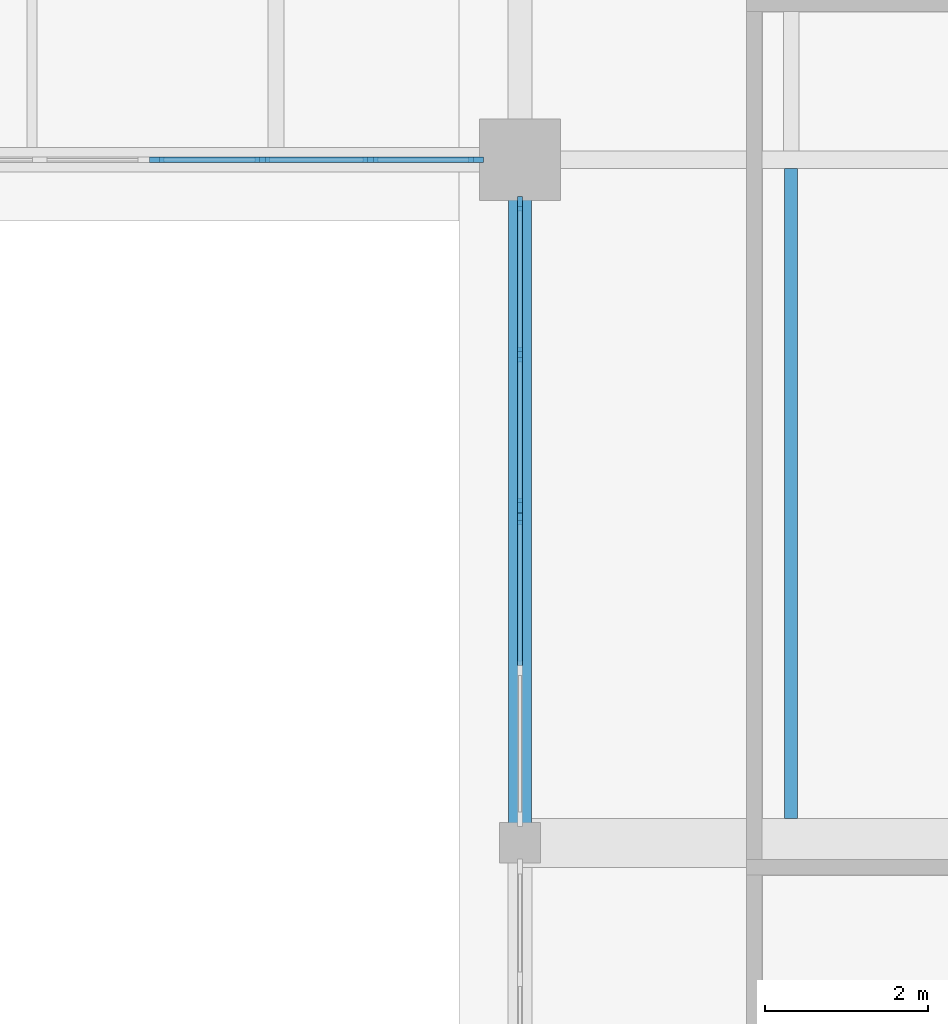
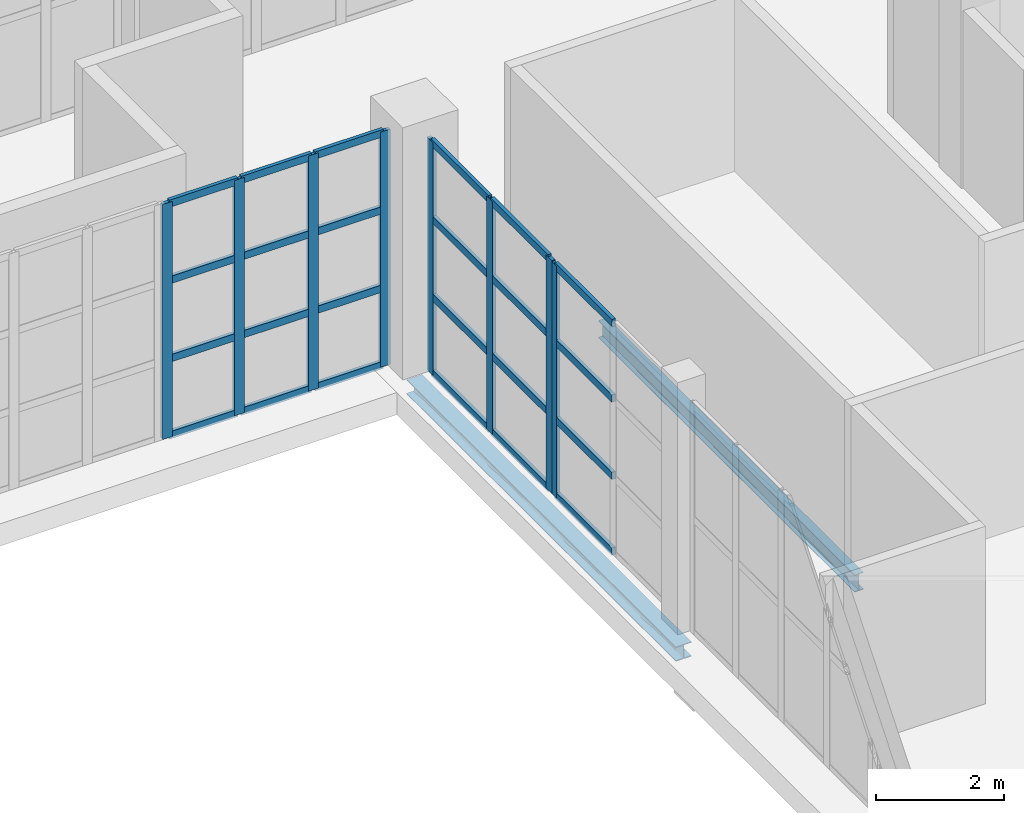
# One storey, part 50 of 121: 32 members, 2 beams, 3 elements without a shape of their own.
"""IFC4 building model written with IfcOpenShell, lengths in metres."""

from ifc_helpers import new_model, si_unit, direction, frame, origin, origin_2d, place, context, subcontext, project, spatial, rectangle, i_section, extrude, material, layer, layer_set, material_profile, profile_set, type_object, element, aggregate, save


model = new_model("IFC4")

# Units and contexts
model_context = context("Model", 3, precision=1e-05, world=origin(), true_north=direction((0.0, 1.0)))
body_context = subcontext(model_context, "Body", "Model", "MODEL_VIEW")
ifc_project = project(units=[si_unit("LENGTHUNIT", "METRE"), si_unit("AREAUNIT", "SQUARE_METRE"), si_unit("VOLUMEUNIT", "CUBIC_METRE"), si_unit("PLANEANGLEUNIT", "RADIAN"), si_unit("MASSUNIT", "GRAM", prefix="KILO")], contexts=[model_context])

# Site, building, storey
site_placement = place(None, origin())
site = spatial("IfcSite", under=ifc_project, at=site_placement, CompositionType="ELEMENT")
building_placement = place(site_placement, origin())
building = spatial("IfcBuilding", under=site, at=building_placement, Name="Zereglee Splitstone Museum", CompositionType="ELEMENT")
storey_placement = place(building_placement, origin())
storey = spatial("IfcBuildingStorey", under=building, at=storey_placement, Name="L00", CompositionType="ELEMENT", Elevation=0.0)

# Curtain wall, members
ifc_material_1 = material(Name="Triple-glazed low-E argon glass and bronze-anodised aluminium", Category="aluminium")
ifc_layer_1 = layer(ifc_material_1, 0.179931640625)
ifc_layer_set_1 = layer_set([ifc_layer_1], Name="Triple-glazed low-E argon glass and bronze-anodised aluminium")
curtain_wall_type_1 = type_object("IfcCurtainWallType", Name="CW-0399-448", PredefinedType="USERDEFINED", material=ifc_layer_set_1)
curtain_wall_1_placement = place(storey_placement, origin())
curtain_wall_1 = element("IfcCurtainWall", 1, at=curtain_wall_1_placement, inside=storey, type_object=curtain_wall_type_1, Name="Glazed Curtain Wall CW-0399-448 (L00)", ObjectType="GLAZED CURTAIN WALL", PredefinedType="USERDEFINED")
ifc_material_2 = material(Name="Thermally broken bronze-anodised aluminium", Category="aluminium")
ifc_material_profile_1 = material_profile(ifc_material_2, rectangle(XDim=0.06494140625, YDim=0.179931640625, at=origin_2d()), Name="CW MULL 65x180")
ifc_profile_set_1 = profile_set([ifc_material_profile_1], Name="Thermally broken bronze-anodised aluminium")
member_type_1 = type_object("IfcMemberType", Name="CWM-01", PredefinedType="MULLION", material=ifc_profile_set_1)
member_1_placement = place(storey_placement, frame((251.534912109375, 30.0, 0.0), z_axis=(0.0, 0.0, 1.0), x_axis=(0.0, 1.0, 0.0)))
member_1 = element("IfcMember", 2, at=member_1_placement, type_object=member_type_1, Name="CW-0399-448 mullion 1", PredefinedType="MULLION", context=body_context, shape_type="SweptSolid", body=[
    extrude(rectangle(XDim=0.06494140625, YDim=0.179931640625, at=origin_2d()), origin(), (0.0, 0.0, 1.0), 4.47998046875),
])
member_2_placement = place(storey_placement, frame((252.832275390625, 30.0, 0.0), z_axis=(0.0, 0.0, 1.0), x_axis=(0.0, 1.0, 0.0)))
member_2 = element("IfcMember", 3, at=member_2_placement, type_object=member_type_1, Name="CW-0399-448 mullion 2", PredefinedType="MULLION", context=body_context, shape_type="SweptSolid", body=[
    extrude(rectangle(XDim=0.06494140625, YDim=0.179931640625, at=origin_2d()), origin(), (0.0, 0.0, 1.0), 4.47998046875),
])
member_3_placement = place(storey_placement, frame((254.162109375, 30.0, 0.0), z_axis=(0.0, 0.0, 1.0), x_axis=(0.0, 1.0, 0.0)))
member_3 = element("IfcMember", 4, at=member_3_placement, type_object=member_type_1, Name="CW-0399-448 mullion 3", PredefinedType="MULLION", context=body_context, shape_type="SweptSolid", body=[
    extrude(rectangle(XDim=0.06494140625, YDim=0.179931640625, at=origin_2d()), origin(), (0.0, 0.0, 1.0), 4.47998046875),
])
member_4_placement = place(storey_placement, frame((255.45947265625, 30.0, 0.0), z_axis=(0.0, 0.0, 1.0), x_axis=(0.0, 1.0, 0.0)))
member_4 = element("IfcMember", 5, at=member_4_placement, type_object=member_type_1, Name="CW-0399-448 mullion 4", PredefinedType="MULLION", context=body_context, shape_type="SweptSolid", body=[
    extrude(rectangle(XDim=0.06494140625, YDim=0.179931640625, at=origin_2d()), origin(), (0.0, 0.0, 1.0), 4.47998046875),
])

ifc_layer_2 = layer(ifc_material_1, 0.179931640625)
ifc_layer_set_2 = layer_set([ifc_layer_2], Name="Triple-glazed low-E argon glass and bronze-anodised aluminium")
curtain_wall_type_2 = type_object("IfcCurtainWallType", Name="CW-0378-444", PredefinedType="USERDEFINED", material=ifc_layer_set_2)
curtain_wall_2_placement = place(storey_placement, origin())
curtain_wall_2 = element("IfcCurtainWall", 6, at=curtain_wall_2_placement, inside=storey, type_object=curtain_wall_type_2, Name="Glazed Curtain Wall CW-0378-444 (L00)", ObjectType="GLAZED CURTAIN WALL", PredefinedType="USERDEFINED")
member_5_placement = place(storey_placement, frame((256.0, 29.45947265625, 0.0), z_axis=(0.0, 0.0, 1.0), x_axis=(1.0, 0.0, 0.0)))
member_5 = element("IfcMember", 7, at=member_5_placement, type_object=member_type_1, Name="CW-0378-444 mullion 1", PredefinedType="MULLION", context=body_context, shape_type="SweptSolid", body=[
    extrude(rectangle(XDim=0.06494140625, YDim=0.179931640625, at=origin_2d()), origin(), (0.0, 0.0, 1.0), 4.43994140625),
])
member_6_placement = place(storey_placement, frame((256.0, 27.603515625, 0.0), z_axis=(0.0, 0.0, 1.0), x_axis=(1.0, 0.0, 0.0)))
member_6 = element("IfcMember", 8, at=member_6_placement, type_object=member_type_1, Name="CW-0378-444 mullion 2", PredefinedType="MULLION", context=body_context, shape_type="SweptSolid", body=[
    extrude(rectangle(XDim=0.06494140625, YDim=0.179931640625, at=origin_2d()), origin(), (0.0, 0.0, 1.0), 4.43994140625),
])
member_7_placement = place(storey_placement, frame((256.0, 25.74755859375, 0.0), z_axis=(0.0, 0.0, 1.0), x_axis=(1.0, 0.0, 0.0)))
member_7 = element("IfcMember", 9, at=member_7_placement, type_object=member_type_1, Name="CW-0378-444 mullion 3", PredefinedType="MULLION", context=body_context, shape_type="SweptSolid", body=[
    extrude(rectangle(XDim=0.06494140625, YDim=0.179931640625, at=origin_2d()), origin(), (0.0, 0.0, 1.0), 4.43994140625),
])

# Curtain wall, member
ifc_layer_3 = layer(ifc_material_1, 0.179931640625)
ifc_layer_set_3 = layer_set([ifc_layer_3], Name="Triple-glazed low-E argon glass and bronze-anodised aluminium")
curtain_wall_type_3 = type_object("IfcCurtainWallType", Name="CW-0378-442", PredefinedType="USERDEFINED", material=ifc_layer_set_3)
curtain_wall_3_placement = place(storey_placement, origin())
curtain_wall_3 = element("IfcCurtainWall", 10, at=curtain_wall_3_placement, inside=storey, type_object=curtain_wall_type_3, Name="Glazed Curtain Wall CW-0378-442 (L00)", ObjectType="GLAZED CURTAIN WALL", PredefinedType="USERDEFINED")
member_8_placement = place(storey_placement, frame((256.0, 25.6025390625, 0.0), z_axis=(0.0, 0.0, 1.0), x_axis=(1.0, 0.0, 0.0)))
member_8 = element("IfcMember", 11, at=member_8_placement, type_object=member_type_1, Name="CW-0378-442 mullion 1", PredefinedType="MULLION", context=body_context, shape_type="SweptSolid", body=[
    extrude(rectangle(XDim=0.06494140625, YDim=0.179931640625, at=origin_2d()), origin(), (0.0, 0.0, 1.0), 4.419921875),
])

# Member
ifc_material_profile_2 = material_profile(ifc_material_2, rectangle(XDim=0.06494140625, YDim=0.139892578125, at=origin_2d()), Name="CW TRAN 65x140")
ifc_profile_set_2 = profile_set([ifc_material_profile_2], Name="Thermally broken bronze-anodised aluminium")
member_type_2 = type_object("IfcMemberType", Name="CWT-01", PredefinedType="USERDEFINED", material=ifc_profile_set_2)
member_9_placement = place(storey_placement, frame((251.5673828125, 30.0, 0.032470703125), z_axis=(1.0, 0.0, 0.0), x_axis=(0.0, 1.0, 0.0)))
member_9 = element("IfcMember", 12, at=member_9_placement, type_object=member_type_2, Name="CW-0399-448 transom 1.1", ObjectType="TRANSOM", PredefinedType="USERDEFINED", context=body_context, shape_type="SweptSolid", body=[
    extrude(rectangle(XDim=0.06494140625, YDim=0.139892578125, at=origin_2d()), origin(), (0.0, 0.0, 1.0), 1.232421875),
])

member_10_placement = place(storey_placement, frame((251.5673828125, 30.0, 1.493408203125), z_axis=(1.0, 0.0, 0.0), x_axis=(0.0, 1.0, 0.0)))
member_10 = element("IfcMember", 13, at=member_10_placement, type_object=member_type_2, Name="CW-0399-448 transom 1.2", ObjectType="TRANSOM", PredefinedType="USERDEFINED", context=body_context, shape_type="SweptSolid", body=[
    extrude(rectangle(XDim=0.06494140625, YDim=0.139892578125, at=origin_2d()), origin(), (0.0, 0.0, 1.0), 1.232421875),
])

member_11_placement = place(storey_placement, frame((251.5673828125, 30.0, 2.98681640625), z_axis=(1.0, 0.0, 0.0), x_axis=(0.0, 1.0, 0.0)))
member_11 = element("IfcMember", 14, at=member_11_placement, type_object=member_type_2, Name="CW-0399-448 transom 1.3", ObjectType="TRANSOM", PredefinedType="USERDEFINED", context=body_context, shape_type="SweptSolid", body=[
    extrude(rectangle(XDim=0.06494140625, YDim=0.139892578125, at=origin_2d()), origin(), (0.0, 0.0, 1.0), 1.232421875),
])

member_12_placement = place(storey_placement, frame((251.5673828125, 30.0, 4.447509765625), z_axis=(1.0, 0.0, 0.0), x_axis=(0.0, 1.0, 0.0)))
member_12 = element("IfcMember", 15, at=member_12_placement, type_object=member_type_2, Name="CW-0399-448 transom 1.4", ObjectType="TRANSOM", PredefinedType="USERDEFINED", context=body_context, shape_type="SweptSolid", body=[
    extrude(rectangle(XDim=0.06494140625, YDim=0.139892578125, at=origin_2d()), origin(), (0.0, 0.0, 1.0), 1.232421875),
])

member_13_placement = place(storey_placement, frame((252.86474609375, 30.0, 0.032470703125), z_axis=(1.0, 0.0, 0.0), x_axis=(0.0, 1.0, 0.0)))
member_13 = element("IfcMember", 16, at=member_13_placement, type_object=member_type_2, Name="CW-0399-448 transom 2.1", ObjectType="TRANSOM", PredefinedType="USERDEFINED", context=body_context, shape_type="SweptSolid", body=[
    extrude(rectangle(XDim=0.06494140625, YDim=0.139892578125, at=origin_2d()), origin(), (0.0, 0.0, 1.0), 1.264892578125),
])

member_14_placement = place(storey_placement, frame((252.86474609375, 30.0, 1.493408203125), z_axis=(1.0, 0.0, 0.0), x_axis=(0.0, 1.0, 0.0)))
member_14 = element("IfcMember", 17, at=member_14_placement, type_object=member_type_2, Name="CW-0399-448 transom 2.2", ObjectType="TRANSOM", PredefinedType="USERDEFINED", context=body_context, shape_type="SweptSolid", body=[
    extrude(rectangle(XDim=0.06494140625, YDim=0.139892578125, at=origin_2d()), origin(), (0.0, 0.0, 1.0), 1.264892578125),
])

member_15_placement = place(storey_placement, frame((252.86474609375, 30.0, 2.98681640625), z_axis=(1.0, 0.0, 0.0), x_axis=(0.0, 1.0, 0.0)))
member_15 = element("IfcMember", 18, at=member_15_placement, type_object=member_type_2, Name="CW-0399-448 transom 2.3", ObjectType="TRANSOM", PredefinedType="USERDEFINED", context=body_context, shape_type="SweptSolid", body=[
    extrude(rectangle(XDim=0.06494140625, YDim=0.139892578125, at=origin_2d()), origin(), (0.0, 0.0, 1.0), 1.264892578125),
])

member_16_placement = place(storey_placement, frame((252.86474609375, 30.0, 4.447509765625), z_axis=(1.0, 0.0, 0.0), x_axis=(0.0, 1.0, 0.0)))
member_16 = element("IfcMember", 19, at=member_16_placement, type_object=member_type_2, Name="CW-0399-448 transom 2.4", ObjectType="TRANSOM", PredefinedType="USERDEFINED", context=body_context, shape_type="SweptSolid", body=[
    extrude(rectangle(XDim=0.06494140625, YDim=0.139892578125, at=origin_2d()), origin(), (0.0, 0.0, 1.0), 1.264892578125),
])

member_17_placement = place(storey_placement, frame((254.194580078125, 30.0, 0.032470703125), z_axis=(1.0, 0.0, 0.0), x_axis=(0.0, 1.0, 0.0)))
member_17 = element("IfcMember", 20, at=member_17_placement, type_object=member_type_2, Name="CW-0399-448 transom 3.1", ObjectType="TRANSOM", PredefinedType="USERDEFINED", context=body_context, shape_type="SweptSolid", body=[
    extrude(rectangle(XDim=0.06494140625, YDim=0.139892578125, at=origin_2d()), origin(), (0.0, 0.0, 1.0), 1.232421875),
])

member_18_placement = place(storey_placement, frame((254.194580078125, 30.0, 1.493408203125), z_axis=(1.0, 0.0, 0.0), x_axis=(0.0, 1.0, 0.0)))
member_18 = element("IfcMember", 21, at=member_18_placement, type_object=member_type_2, Name="CW-0399-448 transom 3.2", ObjectType="TRANSOM", PredefinedType="USERDEFINED", context=body_context, shape_type="SweptSolid", body=[
    extrude(rectangle(XDim=0.06494140625, YDim=0.139892578125, at=origin_2d()), origin(), (0.0, 0.0, 1.0), 1.232421875),
])

member_19_placement = place(storey_placement, frame((254.194580078125, 30.0, 2.98681640625), z_axis=(1.0, 0.0, 0.0), x_axis=(0.0, 1.0, 0.0)))
member_19 = element("IfcMember", 22, at=member_19_placement, type_object=member_type_2, Name="CW-0399-448 transom 3.3", ObjectType="TRANSOM", PredefinedType="USERDEFINED", context=body_context, shape_type="SweptSolid", body=[
    extrude(rectangle(XDim=0.06494140625, YDim=0.139892578125, at=origin_2d()), origin(), (0.0, 0.0, 1.0), 1.232421875),
])

member_20_placement = place(storey_placement, frame((254.194580078125, 30.0, 4.447509765625), z_axis=(1.0, 0.0, 0.0), x_axis=(0.0, 1.0, 0.0)))
member_20 = element("IfcMember", 23, at=member_20_placement, type_object=member_type_2, Name="CW-0399-448 transom 3.4", ObjectType="TRANSOM", PredefinedType="USERDEFINED", context=body_context, shape_type="SweptSolid", body=[
    extrude(rectangle(XDim=0.06494140625, YDim=0.139892578125, at=origin_2d()), origin(), (0.0, 0.0, 1.0), 1.232421875),
])

aggregate(curtain_wall_1, [member_1, member_2, member_3, member_4, member_9, member_10, member_11, member_12, member_13, member_14, member_15, member_16, member_17, member_18, member_19, member_20])

member_21_placement = place(storey_placement, frame((256.0, 29.427001953125, 0.032470703125), z_axis=(0.0, -1.0, 0.0), x_axis=(1.0, 0.0, 0.0)))
member_21 = element("IfcMember", 24, at=member_21_placement, type_object=member_type_2, Name="CW-0378-444 transom 1.1", ObjectType="TRANSOM", PredefinedType="USERDEFINED", context=body_context, shape_type="SweptSolid", body=[
    extrude(rectangle(XDim=0.06494140625, YDim=0.139892578125, at=origin_2d()), origin(), (0.0, 0.0, 1.0), 1.791015625),
])

member_22_placement = place(storey_placement, frame((256.0, 29.427001953125, 1.47998046875), z_axis=(0.0, -1.0, 0.0), x_axis=(1.0, 0.0, 0.0)))
member_22 = element("IfcMember", 25, at=member_22_placement, type_object=member_type_2, Name="CW-0378-444 transom 1.2", ObjectType="TRANSOM", PredefinedType="USERDEFINED", context=body_context, shape_type="SweptSolid", body=[
    extrude(rectangle(XDim=0.06494140625, YDim=0.139892578125, at=origin_2d()), origin(), (0.0, 0.0, 1.0), 1.791015625),
])

member_23_placement = place(storey_placement, frame((256.0, 29.427001953125, 2.9599609375), z_axis=(0.0, -1.0, 0.0), x_axis=(1.0, 0.0, 0.0)))
member_23 = element("IfcMember", 26, at=member_23_placement, type_object=member_type_2, Name="CW-0378-444 transom 1.3", ObjectType="TRANSOM", PredefinedType="USERDEFINED", context=body_context, shape_type="SweptSolid", body=[
    extrude(rectangle(XDim=0.06494140625, YDim=0.139892578125, at=origin_2d()), origin(), (0.0, 0.0, 1.0), 1.791015625),
])

member_24_placement = place(storey_placement, frame((256.0, 29.427001953125, 4.407470703125), z_axis=(0.0, -1.0, 0.0), x_axis=(1.0, 0.0, 0.0)))
member_24 = element("IfcMember", 27, at=member_24_placement, type_object=member_type_2, Name="CW-0378-444 transom 1.4", ObjectType="TRANSOM", PredefinedType="USERDEFINED", context=body_context, shape_type="SweptSolid", body=[
    extrude(rectangle(XDim=0.06494140625, YDim=0.139892578125, at=origin_2d()), origin(), (0.0, 0.0, 1.0), 1.791015625),
])

member_25_placement = place(storey_placement, frame((256.0, 27.571044921875, 0.032470703125), z_axis=(0.0, -1.0, 0.0), x_axis=(1.0, 0.0, 0.0)))
member_25 = element("IfcMember", 28, at=member_25_placement, type_object=member_type_2, Name="CW-0378-444 transom 2.1", ObjectType="TRANSOM", PredefinedType="USERDEFINED", context=body_context, shape_type="SweptSolid", body=[
    extrude(rectangle(XDim=0.06494140625, YDim=0.139892578125, at=origin_2d()), origin(), (0.0, 0.0, 1.0), 1.791015625),
])

member_26_placement = place(storey_placement, frame((256.0, 27.571044921875, 1.47998046875), z_axis=(0.0, -1.0, 0.0), x_axis=(1.0, 0.0, 0.0)))
member_26 = element("IfcMember", 29, at=member_26_placement, type_object=member_type_2, Name="CW-0378-444 transom 2.2", ObjectType="TRANSOM", PredefinedType="USERDEFINED", context=body_context, shape_type="SweptSolid", body=[
    extrude(rectangle(XDim=0.06494140625, YDim=0.139892578125, at=origin_2d()), origin(), (0.0, 0.0, 1.0), 1.791015625),
])

member_27_placement = place(storey_placement, frame((256.0, 27.571044921875, 2.9599609375), z_axis=(0.0, -1.0, 0.0), x_axis=(1.0, 0.0, 0.0)))
member_27 = element("IfcMember", 30, at=member_27_placement, type_object=member_type_2, Name="CW-0378-444 transom 2.3", ObjectType="TRANSOM", PredefinedType="USERDEFINED", context=body_context, shape_type="SweptSolid", body=[
    extrude(rectangle(XDim=0.06494140625, YDim=0.139892578125, at=origin_2d()), origin(), (0.0, 0.0, 1.0), 1.791015625),
])

member_28_placement = place(storey_placement, frame((256.0, 27.571044921875, 4.407470703125), z_axis=(0.0, -1.0, 0.0), x_axis=(1.0, 0.0, 0.0)))
member_28 = element("IfcMember", 31, at=member_28_placement, type_object=member_type_2, Name="CW-0378-444 transom 2.4", ObjectType="TRANSOM", PredefinedType="USERDEFINED", context=body_context, shape_type="SweptSolid", body=[
    extrude(rectangle(XDim=0.06494140625, YDim=0.139892578125, at=origin_2d()), origin(), (0.0, 0.0, 1.0), 1.791015625),
])

aggregate(curtain_wall_2, [member_5, member_6, member_7, member_21, member_22, member_23, member_24, member_25, member_26, member_27, member_28])

member_29_placement = place(storey_placement, frame((256.0, 25.570068359375, 0.032470703125), z_axis=(0.0, -1.0, 0.0), x_axis=(1.0, 0.0, 0.0)))
member_29 = element("IfcMember", 32, at=member_29_placement, type_object=member_type_2, Name="CW-0378-442 transom 1.1", ObjectType="TRANSOM", PredefinedType="USERDEFINED", context=body_context, shape_type="SweptSolid", body=[
    extrude(rectangle(XDim=0.06494140625, YDim=0.139892578125, at=origin_2d()), origin(), (0.0, 0.0, 1.0), 1.791015625),
])

member_30_placement = place(storey_placement, frame((256.0, 25.570068359375, 1.473388671875), z_axis=(0.0, -1.0, 0.0), x_axis=(1.0, 0.0, 0.0)))
member_30 = element("IfcMember", 33, at=member_30_placement, type_object=member_type_2, Name="CW-0378-442 transom 1.2", ObjectType="TRANSOM", PredefinedType="USERDEFINED", context=body_context, shape_type="SweptSolid", body=[
    extrude(rectangle(XDim=0.06494140625, YDim=0.139892578125, at=origin_2d()), origin(), (0.0, 0.0, 1.0), 1.791015625),
])

member_31_placement = place(storey_placement, frame((256.0, 25.570068359375, 2.94677734375), z_axis=(0.0, -1.0, 0.0), x_axis=(1.0, 0.0, 0.0)))
member_31 = element("IfcMember", 34, at=member_31_placement, type_object=member_type_2, Name="CW-0378-442 transom 1.3", ObjectType="TRANSOM", PredefinedType="USERDEFINED", context=body_context, shape_type="SweptSolid", body=[
    extrude(rectangle(XDim=0.06494140625, YDim=0.139892578125, at=origin_2d()), origin(), (0.0, 0.0, 1.0), 1.791015625),
])

member_32_placement = place(storey_placement, frame((256.0, 25.570068359375, 4.387451171875), z_axis=(0.0, -1.0, 0.0), x_axis=(1.0, 0.0, 0.0)))
member_32 = element("IfcMember", 35, at=member_32_placement, type_object=member_type_2, Name="CW-0378-442 transom 1.4", ObjectType="TRANSOM", PredefinedType="USERDEFINED", context=body_context, shape_type="SweptSolid", body=[
    extrude(rectangle(XDim=0.06494140625, YDim=0.139892578125, at=origin_2d()), origin(), (0.0, 0.0, 1.0), 1.791015625),
])

aggregate(curtain_wall_3, [member_8, member_29, member_30, member_31, member_32])

# Beams
ifc_material_3 = material(Name="Steel S355J2", Category="steel")
ifc_material_profile_3 = material_profile(ifc_material_3, i_section(OverallWidth=0.159912109375, OverallDepth=0.330078125, WebThickness=0.007568359375, FlangeThickness=0.011474609375, FilletRadius=0.01806640625, at=origin_2d()), Name="IPE 330")
ifc_profile_set_3 = profile_set([ifc_material_profile_3], Name="Steel S355J2")
beam_type_1 = type_object("IfcBeamType", Name="BJ-05", PredefinedType="JOIST", material=ifc_profile_set_3)
beam_1_placement = place(storey_placement, frame((259.333251953125, 21.89990234375, -0.5849609375), z_axis=(0.0, 1.0, 0.0), x_axis=(-1.0, 0.0, 0.0)))
element("IfcBeam", 36, at=beam_1_placement, inside=storey, type_object=beam_type_1, Name="Secondary Floor Joist L00-0333", PredefinedType="JOIST", context=body_context, shape_type="SweptSolid", body=[
    extrude(i_section(OverallWidth=0.159912109375, OverallDepth=0.330078125, WebThickness=0.007568359375, FlangeThickness=0.011474609375, FilletRadius=0.01806640625, at=origin_2d()), origin(), (0.0, 0.0, 1.0), 7.9951171875),
])
ifc_material_profile_4 = material_profile(ifc_material_3, i_section(OverallWidth=0.280029296875, OverallDepth=0.280029296875, WebThickness=0.010498046875, FlangeThickness=0.01806640625, FilletRadius=0.02392578125, at=origin_2d()), Name="HE 280 B")
ifc_profile_set_4 = profile_set([ifc_material_profile_4], Name="Steel S355J2")
beam_type_2 = type_object("IfcBeamType", Name="SP-03", PredefinedType="SPANDREL", material=ifc_profile_set_4)
beam_2_placement = place(storey_placement, frame((256.0, 21.60009765625, -0.56005859375), z_axis=(0.0, 1.0, 0.0), x_axis=(-1.0, 0.0, 0.0)))
element("IfcBeam", 37, at=beam_2_placement, inside=storey, type_object=beam_type_2, Name="Primary Girder L00 29 (21.6-30.0)", PredefinedType="SPANDREL", context=body_context, shape_type="SweptSolid", body=[
    extrude(i_section(OverallWidth=0.280029296875, OverallDepth=0.280029296875, WebThickness=0.010498046875, FlangeThickness=0.01806640625, FilletRadius=0.02392578125, at=origin_2d()), origin(), (0.0, 0.0, 1.0), 8.39990234375),
])

save(model, "model.ifc")
